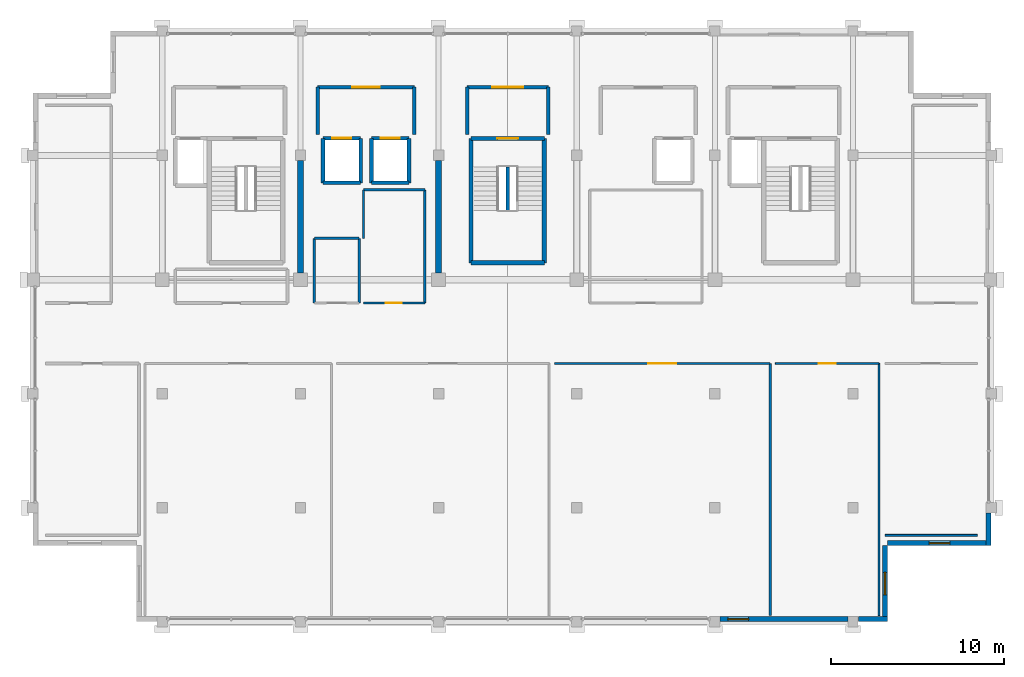
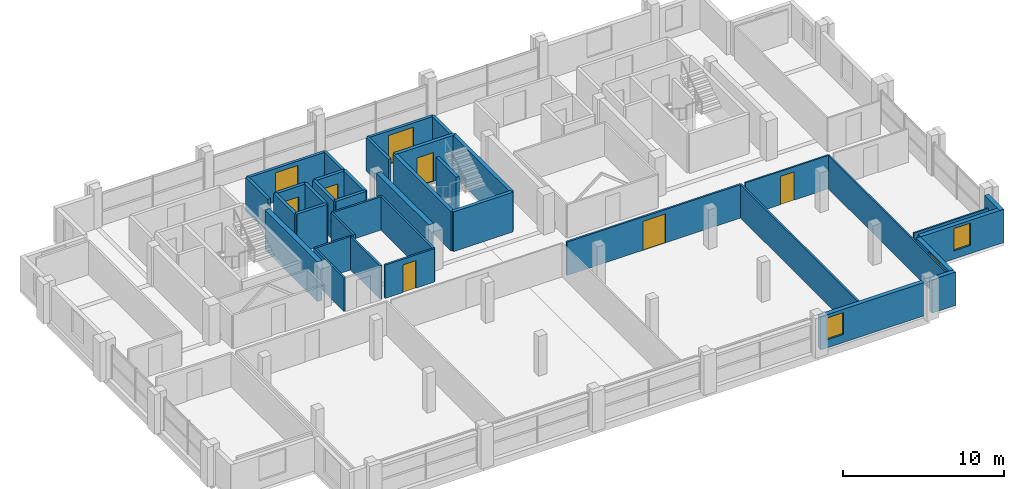
# One storey, part 21 of 24: 38 walls, 8 doors, 3 windows, 11 openings.
"""IFC4 building model written with IfcOpenShell, lengths in metres."""

from ifc_helpers import new_model, si_unit, direction, frame, frame_2d, origin, place, context, subcontext, project, spatial, rectangle, extrude, material, layer, layer_set, type_object, element, fill, save


model = new_model("IFC4")

# Units and contexts
model_context = context("Model", 3, precision=1e-05, world=origin(), true_north=direction((0.0, 1.0)))
body_context = subcontext(model_context, "Body", "Model", "MODEL_VIEW")
ifc_project = project(units=[si_unit("LENGTHUNIT", "METRE"), si_unit("AREAUNIT", "SQUARE_METRE"), si_unit("VOLUMEUNIT", "CUBIC_METRE"), si_unit("PLANEANGLEUNIT", "RADIAN"), si_unit("MASSUNIT", "GRAM", prefix="KILO")], contexts=[model_context])

# Site, building, storey
site_placement = place(None, origin())
site = spatial("IfcSite", under=ifc_project, at=site_placement, CompositionType="ELEMENT")
building_placement = place(site_placement, origin())
building = spatial("IfcBuilding", under=site, at=building_placement, Name="Akrevak Sports Hall", CompositionType="ELEMENT")
storey_placement = place(building_placement, frame((0.0, 0.0, 63.300048828125)))
storey = spatial("IfcBuildingStorey", under=building, at=storey_placement, Name="L16", CompositionType="ELEMENT", Elevation=63.300048828125)

# Wall, opening, window
ifc_material_1 = material(Name="Limestone Ashlar", Category="stone")
ifc_layer_1 = layer(ifc_material_1, 0.06005859375, Name="Limestone Ashlar")
ifc_material_2 = material(Name="Mineral Wool Thermal Insulation", Category="insulation")
ifc_layer_2 = layer(ifc_material_2, 0.090087890625, Name="Mineral Wool Thermal Insulation")
ifc_material_3 = material(Name="Concrete C40/50", Category="concrete")
ifc_layer_3 = layer(ifc_material_3, 0.14990234375, Name="Concrete C40/50")
ifc_layer_set_1 = layer_set([ifc_layer_1, ifc_layer_2, ifc_layer_3], Name="Limestone Ashlar / Mineral Wool Thermal Insulation / Concrete C40/50")
wall_type_1 = type_object("IfcWallType", Name="ARC-WL-EXT-300", PredefinedType="SOLIDWALL", material=ifc_layer_set_1)
wall_1_placement = place(storey_placement, frame((92.300048828125, 35.550048828125, 0.0), z_axis=(0.0, 0.0, 1.0), x_axis=(1.0, 0.0, 0.0)))
wall_1 = element("IfcWall", 1, at=wall_1_placement, inside=storey, type_object=wall_type_1, Name="Tower Stone Facade Wall L16-S06", PredefinedType="SOLIDWALL", context=body_context, shape_type="SweptSolid", body=[
    extrude(rectangle(XDim=7.39990234375, YDim=0.300048828125, at=frame_2d((3.699951171875, 0.0))), origin(), (0.0, 0.0, 1.0), 2.530029296875),
])
opening_1_placement = place(wall_1_placement, frame((0.449951171875, 0.0, 0.6201171875)))
opening_1 = element("IfcOpeningElement", 2, at=opening_1_placement, cuts=wall_1, Name="Opening WN-45", PredefinedType="OPENING", context=body_context, shape_type="SweptSolid", body=[
    extrude(rectangle(XDim=1.199951171875, YDim=1.64990234375, at=frame_2d((0.60009765625, 0.824951171875))), frame((0.0, 0.162109375, 0.0), z_axis=(0.0, -1.0, 0.0), x_axis=(1.0, 0.0, 0.0)), (0.0, 0.0, 1.0), 0.323974609375),
])
ifc_material_4 = material(Name="Thermally Broken Bronze Frame & Double Low-E Glass", Category="glass")
window_type_1 = type_object("IfcWindowType", Name="ARC-WIN-SZ-1200x1650", PartitioningType="SINGLE_PANEL", PredefinedType="WINDOW", material=ifc_material_4)
window_1_placement = place(opening_1_placement, origin())
window_1 = element("IfcWindow", 3, at=window_1_placement, inside=storey, type_object=window_type_1, Name="Tower Window L16-S06", OverallHeight=1.64990234375, OverallWidth=1.199951171875, PartitioningType="SINGLE_PANEL", PredefinedType="WINDOW", context=body_context, shape_type="SweptSolid", body=[
    extrude(rectangle(XDim=1.199951171875, YDim=1.64990234375, at=frame_2d((0.60009765625, 0.824951171875))), frame((0.0, 0.030029296875, 0.0), z_axis=(0.0, -1.0, 0.0), x_axis=(1.0, 0.0, 0.0)), (0.0, 0.0, 1.0), 0.06005859375),
])
fill(opening_1, window_1)

# Wall
wall_2_placement = place(storey_placement, frame((100.300048828125, 35.550048828125, 0.0), z_axis=(0.0, 0.0, 1.0), x_axis=(1.0, 0.0, 0.0)))
element("IfcWall", 4, at=wall_2_placement, inside=storey, type_object=wall_type_1, Name="Tower Stone Facade Wall L16-S07", PredefinedType="SOLIDWALL", context=body_context, shape_type="SweptSolid", body=[
    extrude(rectangle(XDim=1.699951171875, YDim=0.300048828125, at=frame_2d((0.85009765625, 0.0))), origin(), (0.0, 0.0, 1.0), 2.530029296875),
])

# Wall, opening, window
wall_3_placement = place(storey_placement, frame((101.85009765625, 35.39990234375, 0.0), z_axis=(0.0, 0.0, 1.0), x_axis=(0.0, 1.0, 0.0)))
wall_3 = element("IfcWall", 5, at=wall_3_placement, inside=storey, type_object=wall_type_1, Name="Tower Stone Facade Wall L16-E08", PredefinedType="SOLIDWALL", context=body_context, shape_type="SweptSolid", body=[
    extrude(rectangle(XDim=4.400146484375, YDim=0.300048828125, at=frame_2d((2.2001953125, 0.0))), origin(), (0.0, 0.0, 1.0), 2.530029296875),
])
opening_2_placement = place(wall_3_placement, frame((1.550048828125, 0.0, 0.6201171875)))
opening_2 = element("IfcOpeningElement", 6, at=opening_2_placement, cuts=wall_3, Name="Opening WN-12", PredefinedType="OPENING", context=body_context, shape_type="SweptSolid", body=[
    extrude(rectangle(XDim=1.300048828125, YDim=1.800048828125, at=frame_2d((0.64990234375, 0.89990234375))), frame((0.0, 0.162109375, 0.0), z_axis=(0.0, -1.0, 0.0), x_axis=(1.0, 0.0, 0.0)), (0.0, 0.0, 1.0), 0.323974609375),
])
window_type_2 = type_object("IfcWindowType", Name="ARC-WIN-TW-130x180", PartitioningType="SINGLE_PANEL", PredefinedType="WINDOW", material=ifc_material_4)
window_2_placement = place(opening_2_placement, origin())
window_2 = element("IfcWindow", 7, at=window_2_placement, inside=storey, type_object=window_type_2, Name="Tower Window L16-E08", OverallHeight=1.800048828125, OverallWidth=1.300048828125, PartitioningType="SINGLE_PANEL", PredefinedType="WINDOW", context=body_context, shape_type="SweptSolid", body=[
    extrude(rectangle(XDim=1.300048828125, YDim=1.800048828125, at=frame_2d((0.64990234375, 0.89990234375))), frame((0.0, 0.030029296875, 0.0), z_axis=(0.0, -1.0, 0.0), x_axis=(1.0, 0.0, 0.0)), (0.0, 0.0, 1.0), 0.06005859375),
])
fill(opening_2, window_2)

wall_4_placement = place(storey_placement, frame((102.0, 39.949951171875, 0.0), z_axis=(0.0, 0.0, 1.0), x_axis=(1.0, 0.0, 0.0)))
wall_4 = element("IfcWall", 8, at=wall_4_placement, inside=storey, type_object=wall_type_1, Name="Tower Stone Facade Wall L16-S09", PredefinedType="SOLIDWALL", context=body_context, shape_type="SweptSolid", body=[
    extrude(rectangle(XDim=6.0, YDim=0.300048828125, at=frame_2d((3.0, 0.0))), origin(), (0.0, 0.0, 1.0), 2.530029296875),
])
opening_3_placement = place(wall_4_placement, frame((2.39990234375, 0.0, 0.6201171875)))
opening_3 = element("IfcOpeningElement", 9, at=opening_3_placement, cuts=wall_4, Name="Opening WN-13", PredefinedType="OPENING", context=body_context, shape_type="SweptSolid", body=[
    extrude(rectangle(XDim=1.199951171875, YDim=1.699951171875, at=frame_2d((0.60009765625, 0.85009765625))), frame((0.0, 0.162109375, 0.0), z_axis=(0.0, -1.0, 0.0), x_axis=(1.0, 0.0, 0.0)), (0.0, 0.0, 1.0), 0.323974609375),
])
window_type_3 = type_object("IfcWindowType", Name="ARC-WIN-TW-120x170", PartitioningType="SINGLE_PANEL", PredefinedType="WINDOW", material=ifc_material_4)
window_3_placement = place(opening_3_placement, origin())
window_3 = element("IfcWindow", 10, at=window_3_placement, inside=storey, type_object=window_type_3, Name="Tower Window L16-S09", OverallHeight=1.699951171875, OverallWidth=1.199951171875, PartitioningType="SINGLE_PANEL", PredefinedType="WINDOW", context=body_context, shape_type="SweptSolid", body=[
    extrude(rectangle(XDim=1.199951171875, YDim=1.699951171875, at=frame_2d((0.60009765625, 0.85009765625))), frame((0.0, 0.030029296875, 0.0), z_axis=(0.0, -1.0, 0.0), x_axis=(1.0, 0.0, 0.0)), (0.0, 0.0, 1.0), 0.06005859375),
])
fill(opening_3, window_3)

# Wall
wall_5_placement = place(storey_placement, frame((107.85009765625, 39.800048828125, 0.0), z_axis=(0.0, 0.0, 1.0), x_axis=(0.0, 1.0, 0.0)))
element("IfcWall", 11, at=wall_5_placement, inside=storey, type_object=wall_type_1, Name="Tower Stone Facade Wall L16-E10", PredefinedType="SOLIDWALL", context=body_context, shape_type="SweptSolid", body=[
    extrude(rectangle(XDim=1.89990234375, YDim=0.300048828125, at=frame_2d((0.949951171875, 0.0))), origin(), (0.0, 0.0, 1.0), 2.530029296875),
])

# Wall, opening, door
ifc_material_5 = material(Name="Lightweight Office Partition", Category="gypsum")
ifc_layer_4 = layer(ifc_material_5, 0.110107421875, Name="Lightweight Office Partition")
ifc_layer_set_2 = layer_set([ifc_layer_4], Name="Lightweight Office Partition")
wall_type_2 = type_object("IfcWallType", Name="ARC-WL-PRT-110", PredefinedType="PARTITIONING", material=ifc_layer_set_2)
wall_6_placement = place(storey_placement, frame((95.5, 50.35009765625, 0.0), z_axis=(0.0, 0.0, 1.0), x_axis=(1.0, 0.0, 0.0)))
wall_6 = element("IfcWall", 12, at=wall_6_placement, inside=storey, type_object=wall_type_2, Name="Interior Partition International Relations Secretariat (L16) (N)", PredefinedType="PARTITIONING", context=body_context, shape_type="SweptSolid", body=[
    extrude(rectangle(XDim=6.0, YDim=0.110107421875, at=frame_2d((3.0, 0.0))), origin(), (0.0, 0.0, 1.0), 2.530029296875),
])
opening_4_placement = place(wall_6_placement, frame((2.5, 0.0, 0.0)))
opening_4 = element("IfcOpeningElement", 13, at=opening_4_placement, cuts=wall_6, Name="Opening ID-06", PredefinedType="OPENING", context=body_context, shape_type="SweptSolid", body=[
    extrude(rectangle(XDim=1.0, YDim=2.14990234375, at=frame_2d((0.5, 1.074951171875))), frame((0.0, 0.06689453125, 0.0), z_axis=(0.0, -1.0, 0.0), x_axis=(1.0, 0.0, 0.0)), (0.0, 0.0, 1.0), 0.134033203125),
])
ifc_material_6 = material(Name="Hardwood Oak Acoustic Leaf", Category="wood")
door_type_1 = type_object("IfcDoorType", Name="ARC-DR-OFF-100x215", OperationType="NOTDEFINED", PredefinedType="DOOR", material=ifc_material_6)
door_1_placement = place(opening_4_placement, origin())
door_1 = element("IfcDoor", 14, at=door_1_placement, inside=storey, type_object=door_type_1, Name="Door to International Relations Secretariat (L16)", OperationType="SINGLE_SWING_LEFT", OverallHeight=2.14990234375, OverallWidth=1.0, PredefinedType="DOOR", context=body_context, shape_type="SweptSolid", body=[
    extrude(rectangle(XDim=1.0, YDim=2.14990234375, at=frame_2d((0.5, 1.074951171875))), frame((0.0, 0.02490234375, 0.0), z_axis=(0.0, -1.0, 0.0), x_axis=(1.0, 0.0, 0.0)), (0.0, 0.0, 1.0), 0.050048828125),
])
fill(opening_4, door_1)

# Walls
wall_7_placement = place(storey_placement, frame((101.5, 35.75, 0.0), z_axis=(0.0, 0.0, 1.0), x_axis=(0.0, 1.0, 0.0)))
element("IfcWall", 15, at=wall_7_placement, inside=storey, type_object=wall_type_2, Name="Interior Partition International Relations Secretariat (L16) (E)", PredefinedType="PARTITIONING", context=body_context, shape_type="SweptSolid", body=[
    extrude(rectangle(XDim=14.60009765625, YDim=0.110107421875, at=frame_2d((7.300048828125, 0.0))), origin(), (0.0, 0.0, 1.0), 2.530029296875),
])
wall_8_placement = place(storey_placement, frame((101.85009765625, 40.39990234375, 0.0), z_axis=(0.0, 0.0, 1.0), x_axis=(1.0, 0.0, 0.0)))
element("IfcWall", 16, at=wall_8_placement, inside=storey, type_object=wall_type_2, Name="Interior Partition International Federation Office East (L16) (S)", PredefinedType="PARTITIONING", context=body_context, shape_type="SweptSolid", body=[
    extrude(rectangle(XDim=5.349853515625, YDim=0.110107421875, at=frame_2d((2.6748046875, 0.0))), origin(), (0.0, 0.0, 1.0), 2.530029296875),
])

# Wall, opening, door
ifc_material_7 = material(Name="Acoustic Metal Stud Partition", Category="gypsum")
ifc_layer_5 = layer(ifc_material_7, 0.1298828125, Name="Acoustic Metal Stud Partition")
ifc_layer_set_3 = layer_set([ifc_layer_5], Name="Acoustic Metal Stud Partition")
wall_type_3 = type_object("IfcWallType", Name="ARC-WL-PRT-130", PredefinedType="PARTITIONING", material=ifc_layer_set_3)
wall_9_placement = place(storey_placement, frame((82.699951171875, 50.35009765625, 0.0), z_axis=(0.0, 0.0, 1.0), x_axis=(1.0, 0.0, 0.0)))
wall_9 = element("IfcWall", 17, at=wall_9_placement, inside=storey, type_object=wall_type_3, Name="Interior Partition Presidential Reception Salon (L16) (N)", PredefinedType="PARTITIONING", context=body_context, shape_type="SweptSolid", body=[
    extrude(rectangle(XDim=12.5, YDim=0.1298828125, at=frame_2d((6.25, 0.0))), origin(), (0.0, 0.0, 1.0), 2.530029296875),
])
opening_5_placement = place(wall_9_placement, frame((5.449951171875, 0.0, 0.0)))
opening_5 = element("IfcOpeningElement", 18, at=opening_5_placement, cuts=wall_9, Name="Opening ID-03", PredefinedType="OPENING", context=body_context, shape_type="SweptSolid", body=[
    extrude(rectangle(XDim=1.60009765625, YDim=2.199951171875, at=frame_2d((0.800048828125, 1.10009765625))), frame((0.0, 0.076904296875, 0.0), z_axis=(0.0, -1.0, 0.0), x_axis=(1.0, 0.0, 0.0)), (0.0, 0.0, 1.0), 0.15380859375),
])
ifc_material_8 = material(Name="Hardwood Oak & Safety Glass", Category="wood")
door_type_2 = type_object("IfcDoorType", Name="ARC-DR-HALL-160x220", OperationType="DOUBLE_DOOR_SINGLE_SWING", PredefinedType="DOOR", material=ifc_material_8)
door_2_placement = place(opening_5_placement, origin())
door_2 = element("IfcDoor", 19, at=door_2_placement, inside=storey, type_object=door_type_2, Name="Door to Presidential Reception Salon (L16)", OperationType="DOUBLE_DOOR_SINGLE_SWING", OverallHeight=2.199951171875, OverallWidth=1.60009765625, PredefinedType="DOOR", context=body_context, shape_type="SweptSolid", body=[
    extrude(rectangle(XDim=1.60009765625, YDim=2.199951171875, at=frame_2d((0.800048828125, 1.10009765625))), frame((0.0, 0.02490234375, 0.0), z_axis=(0.0, -1.0, 0.0), x_axis=(1.0, 0.0, 0.0)), (0.0, 0.0, 1.0), 0.050048828125),
])
fill(opening_5, door_2)

# Walls
wall_10_placement = place(storey_placement, frame((95.199951171875, 35.75, 0.0), z_axis=(0.0, 0.0, 1.0), x_axis=(0.0, 1.0, 0.0)))
element("IfcWall", 20, at=wall_10_placement, inside=storey, type_object=wall_type_3, Name="Interior Partition Presidential Reception Salon (L16) (E)", PredefinedType="PARTITIONING", context=body_context, shape_type="SweptSolid", body=[
    extrude(rectangle(XDim=14.60009765625, YDim=0.1298828125, at=frame_2d((7.300048828125, 0.0))), origin(), (0.0, 0.0, 1.0), 2.530029296875),
])
ifc_material_9 = material(Name="Moisture-Resistant Wet-Area Partition", Category="gypsum")
ifc_layer_6 = layer(ifc_material_9, 0.139892578125, Name="Moisture-Resistant Wet-Area Partition")
ifc_layer_set_4 = layer_set([ifc_layer_6], Name="Moisture-Resistant Wet-Area Partition")
wall_type_4 = type_object("IfcWallType", Name="ARC-WL-PRT-140", PredefinedType="PARTITIONING", material=ifc_layer_set_4)
wall_11_placement = place(storey_placement, frame((68.800048828125, 57.60009765625, 0.0), z_axis=(0.0, 0.0, 1.0), x_axis=(1.0, 0.0, 0.0)))
element("IfcWall", 21, at=wall_11_placement, inside=storey, type_object=wall_type_4, Name="Interior Partition Accessible WC L16 (N)", PredefinedType="PARTITIONING", context=body_context, shape_type="SweptSolid", body=[
    extrude(rectangle(XDim=2.599853515625, YDim=0.139892578125, at=frame_2d((1.2998046875, 0.0))), origin(), (0.0, 0.0, 1.0), 2.530029296875),
])
for number, where, z_axis, x_axis, name in (
    (22, (68.800048828125, 53.85009765625, 0.0), (0.0, 0.0, 1.0), (0.0, 1.0, 0.0), "Interior Partition Accessible WC L16 (W)"),
    (23, (71.39990234375, 53.85009765625, 0.0), (0.0, 0.0, 1.0), (0.0, 1.0, 0.0), "Interior Partition Accessible WC L16 (E)"),
):
    element("IfcWall", number, at=place(storey_placement, frame(where, z_axis=z_axis, x_axis=x_axis)), inside=storey, type_object=wall_type_4, Name=name, PredefinedType="PARTITIONING", context=body_context, shape_type="SweptSolid", body=[
        extrude(rectangle(XDim=3.75, YDim=0.139892578125, at=frame_2d((1.875, 0.0))), origin(), (0.0, 0.0, 1.0), 2.530029296875),
    ])

# Wall, opening, door
wall_12_placement = place(storey_placement, frame((71.64990234375, 53.85009765625, 0.0), z_axis=(0.0, 0.0, 1.0), x_axis=(1.0, 0.0, 0.0)))
wall_12 = element("IfcWall", 24, at=wall_12_placement, inside=storey, type_object=wall_type_4, Name="Interior Partition Athletic Recovery Shower & WC L16 (S)", PredefinedType="PARTITIONING", context=body_context, shape_type="SweptSolid", body=[
    extrude(rectangle(XDim=3.550048828125, YDim=0.139892578125, at=frame_2d((1.77490234375, 0.0))), origin(), (0.0, 0.0, 1.0), 2.530029296875),
])
opening_6_placement = place(wall_12_placement, frame((1.27490234375, 0.0, 0.0)))
opening_6 = element("IfcOpeningElement", 25, at=opening_6_placement, cuts=wall_12, Name="Opening ID-08", PredefinedType="OPENING", context=body_context, shape_type="SweptSolid", body=[
    extrude(rectangle(XDim=0.949951171875, YDim=2.10009765625, at=frame_2d((0.47509765625, 1.050048828125))), frame((0.0, 0.08203125, 0.0), z_axis=(0.0, -1.0, 0.0), x_axis=(1.0, 0.0, 0.0)), (0.0, 0.0, 1.0), 0.163818359375),
])
ifc_material_10 = material(Name="High-Pressure Laminate & Aluminium", Category="aluminium")
door_type_3 = type_object("IfcDoorType", Name="ARC-DR-WC-095x210", OperationType="NOTDEFINED", PredefinedType="DOOR", material=ifc_material_10)
door_3_placement = place(opening_6_placement, origin())
door_3 = element("IfcDoor", 26, at=door_3_placement, inside=storey, type_object=door_type_3, Name="Door to Athletic Recovery Shower & WC L16", OperationType="SINGLE_SWING_LEFT", OverallHeight=2.10009765625, OverallWidth=0.949951171875, PredefinedType="DOOR", context=body_context, shape_type="SweptSolid", body=[
    extrude(rectangle(XDim=0.949951171875, YDim=2.10009765625, at=frame_2d((0.47509765625, 1.050048828125))), frame((0.0, 0.02490234375, 0.0), z_axis=(0.0, -1.0, 0.0), x_axis=(1.0, 0.0, 0.0)), (0.0, 0.0, 1.0), 0.050048828125),
])
fill(opening_6, door_3)

# Walls
wall_13_placement = place(storey_placement, frame((71.64990234375, 60.39990234375, 0.0), z_axis=(0.0, 0.0, 1.0), x_axis=(1.0, 0.0, 0.0)))
element("IfcWall", 27, at=wall_13_placement, inside=storey, type_object=wall_type_4, Name="Interior Partition Athletic Recovery Shower & WC L16 (N)", PredefinedType="PARTITIONING", context=body_context, shape_type="SweptSolid", body=[
    extrude(rectangle(XDim=3.550048828125, YDim=0.139892578125, at=frame_2d((1.77490234375, 0.0))), origin(), (0.0, 0.0, 1.0), 2.530029296875),
])
wall_14_placement = place(storey_placement, frame((71.64990234375, 57.60009765625, 0.0), z_axis=(0.0, 0.0, 1.0), x_axis=(0.0, 1.0, 0.0)))
element("IfcWall", 28, at=wall_14_placement, inside=storey, type_object=wall_type_4, Name="Interior Partition Athletic Recovery Shower & WC L16 (W)", PredefinedType="PARTITIONING", context=body_context, shape_type="SweptSolid", body=[
    extrude(rectangle(XDim=2.7998046875, YDim=0.139892578125, at=frame_2d((1.39990234375, 0.0))), origin(), (0.0, 0.0, 1.0), 2.530029296875),
])
wall_15_placement = place(storey_placement, frame((75.199951171875, 53.85009765625, 0.0), z_axis=(0.0, 0.0, 1.0), x_axis=(0.0, 1.0, 0.0)))
element("IfcWall", 29, at=wall_15_placement, inside=storey, type_object=wall_type_4, Name="Interior Partition Athletic Recovery Shower & WC L16 (E)", PredefinedType="PARTITIONING", context=body_context, shape_type="SweptSolid", body=[
    extrude(rectangle(XDim=6.5498046875, YDim=0.139892578125, at=frame_2d((3.27490234375, 0.0))), origin(), (0.0, 0.0, 1.0), 2.530029296875),
])

# Wall, opening, door
ifc_material_11 = material(Name="Autoclaved Aerated Masonry Block", Category="masonry")
ifc_layer_7 = layer(ifc_material_11, 0.199951171875, Name="Autoclaved Aerated Masonry Block")
ifc_layer_set_5 = layer_set([ifc_layer_7], Name="Autoclaved Aerated Masonry Block")
wall_type_5 = type_object("IfcWallType", Name="ARC-WL-PRT-200", PredefinedType="PARTITIONING", material=ifc_layer_set_5)
wall_16_placement = place(storey_placement, frame((69.0, 66.35009765625, 0.0), z_axis=(0.0, 0.0, 1.0), x_axis=(1.0, 0.0, 0.0)))
wall_16 = element("IfcWall", 30, at=wall_16_placement, inside=storey, type_object=wall_type_5, Name="Interior Partition West Passenger Lift Lobby L16 (N)", PredefinedType="PARTITIONING", context=body_context, shape_type="SweptSolid", body=[
    extrude(rectangle(XDim=5.60009765625, YDim=0.199951171875, at=frame_2d((2.800048828125, 0.0))), origin(), (0.0, 0.0, 1.0), 2.530029296875),
])
opening_7_placement = place(wall_16_placement, frame((2.0, 0.0, 0.0)))
opening_7 = element("IfcOpeningElement", 31, at=opening_7_placement, cuts=wall_16, Name="Opening ID-03", PredefinedType="OPENING", context=body_context, shape_type="SweptSolid", body=[
    extrude(rectangle(XDim=1.60009765625, YDim=2.199951171875, at=frame_2d((0.800048828125, 1.10009765625))), frame((0.0, 0.11181640625, 0.0), z_axis=(0.0, -1.0, 0.0), x_axis=(1.0, 0.0, 0.0)), (0.0, 0.0, 1.0), 0.223876953125),
])
door_4_placement = place(opening_7_placement, origin())
door_4 = element("IfcDoor", 32, at=door_4_placement, inside=storey, type_object=door_type_2, Name="Door to West Passenger Lift Lobby L16", OperationType="DOUBLE_DOOR_SINGLE_SWING", OverallHeight=2.199951171875, OverallWidth=1.60009765625, PredefinedType="DOOR", context=body_context, shape_type="SweptSolid", body=[
    extrude(rectangle(XDim=1.60009765625, YDim=2.199951171875, at=frame_2d((0.800048828125, 1.10009765625))), frame((0.0, 0.02490234375, 0.0), z_axis=(0.0, -1.0, 0.0), x_axis=(1.0, 0.0, 0.0)), (0.0, 0.0, 1.0), 0.050048828125),
])
fill(opening_7, door_4)

# Walls
for number, where, z_axis, x_axis, name in (
    (33, (69.0, 63.60009765625, 0.0), (0.0, 0.0, 1.0), (0.0, 1.0, 0.0), "Interior Partition West Passenger Lift Lobby L16 (W)"),
    (34, (74.60009765625, 63.60009765625, 0.0), (0.0, 0.0, 1.0), (0.0, 1.0, 0.0), "Interior Partition West Passenger Lift Lobby L16 (E)"),
):
    element("IfcWall", number, at=place(storey_placement, frame(where, z_axis=z_axis, x_axis=x_axis)), inside=storey, type_object=wall_type_5, Name=name, PredefinedType="PARTITIONING", context=body_context, shape_type="SweptSolid", body=[
        extrude(rectangle(XDim=2.75, YDim=0.199951171875, at=frame_2d((1.375, 0.0))), origin(), (0.0, 0.0, 1.0), 2.530029296875),
    ])

# Wall, opening, door
wall_17_placement = place(storey_placement, frame((77.64990234375, 66.35009765625, 0.0), z_axis=(0.0, 0.0, 1.0), x_axis=(1.0, 0.0, 0.0)))
wall_17 = element("IfcWall", 35, at=wall_17_placement, inside=storey, type_object=wall_type_5, Name="Interior Partition Central Stair ST3 Vestibule L16 (N)", PredefinedType="PARTITIONING", context=body_context, shape_type="SweptSolid", body=[
    extrude(rectangle(XDim=4.7001953125, YDim=0.199951171875, at=frame_2d((2.35009765625, 0.0))), origin(), (0.0, 0.0, 1.0), 2.530029296875),
])
opening_8_placement = place(wall_17_placement, frame((1.449951171875, 0.0, 0.0)))
opening_8 = element("IfcOpeningElement", 36, at=opening_8_placement, cuts=wall_17, Name="Opening FD-02", PredefinedType="OPENING", context=body_context, shape_type="SweptSolid", body=[
    extrude(rectangle(XDim=1.800048828125, YDim=2.199951171875, at=frame_2d((0.89990234375, 1.10009765625))), frame((0.0, 0.11181640625, 0.0), z_axis=(0.0, -1.0, 0.0), x_axis=(1.0, 0.0, 0.0)), (0.0, 0.0, 1.0), 0.223876953125),
])
ifc_material_12 = material(Name="Fire-Rated Galvanized Door Steel", Category="steel")
door_type_4 = type_object("IfcDoorType", Name="ARC-DR-FIRE-180x220", OperationType="DOUBLE_DOOR_SINGLE_SWING", PredefinedType="DOOR", material=ifc_material_12)
door_5_placement = place(opening_8_placement, frame((1.800048828125, 0.0, 0.0), z_axis=(0.0, 0.0, 1.0), x_axis=(-1.0, 0.0, 0.0)))
door_5 = element("IfcDoor", 37, at=door_5_placement, inside=storey, type_object=door_type_4, Name="Door to Central Stair ST3 Vestibule L16", OperationType="DOUBLE_DOOR_SINGLE_SWING", OverallHeight=2.199951171875, OverallWidth=1.800048828125, PredefinedType="DOOR", context=body_context, shape_type="SweptSolid", body=[
    extrude(rectangle(XDim=1.800048828125, YDim=2.199951171875, at=frame_2d((0.89990234375, 1.10009765625))), frame((0.0, 0.02490234375, 0.0), z_axis=(0.0, -1.0, 0.0), x_axis=(1.0, 0.0, 0.0)), (0.0, 0.0, 1.0), 0.050048828125),
])
fill(opening_8, door_5)

# Walls
for number, where, z_axis, x_axis, name in (
    (38, (77.64990234375, 63.60009765625, 0.0), (0.0, 0.0, 1.0), (0.0, 1.0, 0.0), "Interior Partition Central Stair ST3 Vestibule L16 (W)"),
    (39, (82.35009765625, 63.60009765625, 0.0), (0.0, 0.0, 1.0), (0.0, 1.0, 0.0), "Interior Partition Central Stair ST3 Vestibule L16 (E)"),
):
    element("IfcWall", number, at=place(storey_placement, frame(where, z_axis=z_axis, x_axis=x_axis)), inside=storey, type_object=wall_type_5, Name=name, PredefinedType="PARTITIONING", context=body_context, shape_type="SweptSolid", body=[
        extrude(rectangle(XDim=2.75, YDim=0.199951171875, at=frame_2d((1.375, 0.0))), origin(), (0.0, 0.0, 1.0), 2.530029296875),
    ])
ifc_layer_8 = layer(ifc_material_3, 0.219970703125, Name="Concrete C40/50")
ifc_layer_set_6 = layer_set([ifc_layer_8], Name="Concrete C40/50")
wall_type_6 = type_object("IfcWallType", Name="ARC-WL-PRT-220", PredefinedType="PARTITIONING", material=ifc_layer_set_6)
wall_18_placement = place(storey_placement, frame((80.0, 59.215087890625, 0.0), z_axis=(0.0, 0.0, 1.0), x_axis=(0.0, 1.0, 0.0)))
element("IfcWall", 40, at=wall_18_placement, inside=storey, type_object=wall_type_6, Name="Stair ST3 Central Spine Wall (L16)", PredefinedType="PARTITIONING", context=body_context, shape_type="SweptSolid", body=[
    extrude(rectangle(XDim=2.52001953125, YDim=0.219970703125, at=frame_2d((1.260009765625, 0.0))), origin(), (0.0, 0.0, 1.0), 3.010009765625),
])
ifc_material_13 = material(Name="Concrete C50/60", Category="concrete")
ifc_layer_9 = layer(ifc_material_13, 0.219970703125, Name="Concrete C50/60")
ifc_layer_set_7 = layer_set([ifc_layer_9], Name="Concrete C50/60")
wall_type_7 = type_object("IfcWallType", Name="ARC-WL-SHAFT-220", PredefinedType="SHEAR", material=ifc_layer_set_7)
wall_19_placement = place(storey_placement, frame((69.31005859375, 60.81005859375, 0.0), z_axis=(0.0, 0.0, 1.0), x_axis=(1.0, 0.0, 0.0)))
element("IfcWall", 41, at=wall_19_placement, inside=storey, type_object=wall_type_7, Name="Lift Shaft LF-P1 Wall S (L16)", PredefinedType="SHEAR", context=body_context, shape_type="SweptSolid", body=[
    extrude(rectangle(XDim=2.179931640625, YDim=0.219970703125, at=frame_2d((1.08984375, 0.0))), origin(), (0.0, 0.0, 1.0), 3.010009765625),
])

# Wall, opening, door
wall_20_placement = place(storey_placement, frame((71.489990234375, 63.389892578125, 0.0), z_axis=(0.0, 0.0, 1.0), x_axis=(-1.0, 0.0, 0.0)))
wall_20 = element("IfcWall", 42, at=wall_20_placement, inside=storey, type_object=wall_type_7, Name="Lift Shaft LF-P1 Wall N (L16)", PredefinedType="SHEAR", context=body_context, shape_type="SweptSolid", body=[
    extrude(rectangle(XDim=2.179931640625, YDim=0.219970703125, at=frame_2d((1.08984375, 0.0))), origin(), (0.0, 0.0, 1.0), 3.010009765625),
])
opening_9_placement = place(wall_20_placement, frame((0.5400390625, 0.0, 0.0)))
opening_9 = element("IfcOpeningElement", 43, at=opening_9_placement, cuts=wall_20, Name="Opening LD-01", PredefinedType="OPENING", context=body_context, shape_type="SweptSolid", body=[
    extrude(rectangle(XDim=1.10009765625, YDim=2.199951171875, at=frame_2d((0.550048828125, 1.10009765625))), frame((0.0, 0.1220703125, 0.0), z_axis=(0.0, -1.0, 0.0), x_axis=(1.0, 0.0, 0.0)), (0.0, 0.0, 1.0), 0.243896484375),
])
ifc_material_14 = material(Name="Brushed Stainless Steel 304", Category="steel")
door_type_5 = type_object("IfcDoorType", Name="ARC-DR-LD-110x220", OperationType="SLIDING_TO_LEFT", PredefinedType="DOOR", material=ifc_material_14)
door_6_placement = place(opening_9_placement, origin())
door_6 = element("IfcDoor", 44, at=door_6_placement, inside=storey, type_object=door_type_5, Name="Lift LF-P1 Sliding Landing Door (L16)", OperationType="SLIDING_TO_LEFT", OverallHeight=2.199951171875, OverallWidth=1.10009765625, PredefinedType="DOOR", context=body_context, shape_type="SweptSolid", body=[
    extrude(rectangle(XDim=1.10009765625, YDim=2.199951171875, at=frame_2d((0.550048828125, 1.10009765625))), frame((0.0, 0.02490234375, 0.0), z_axis=(0.0, -1.0, 0.0), x_axis=(1.0, 0.0, 0.0)), (0.0, 0.0, 1.0), 0.050048828125),
])
fill(opening_9, door_6)

# Walls
for number, where, z_axis, x_axis, name in (
    (45, (69.31005859375, 63.389892578125, 0.0), (0.0, 0.0, 1.0), (0.0, -1.0, 0.0), "Lift Shaft LF-P1 Wall W (L16)"),
    (46, (71.489990234375, 60.81005859375, 0.0), (0.0, 0.0, 1.0), (0.0, 1.0, 0.0), "Lift Shaft LF-P1 Wall E (L16)"),
):
    element("IfcWall", number, at=place(storey_placement, frame(where, z_axis=z_axis, x_axis=x_axis)), inside=storey, type_object=wall_type_7, Name=name, PredefinedType="SHEAR", context=body_context, shape_type="SweptSolid", body=[
        extrude(rectangle(XDim=2.579833984375, YDim=0.219970703125, at=frame_2d((1.2900390625, 0.0))), origin(), (0.0, 0.0, 1.0), 3.010009765625),
    ])
wall_21_placement = place(storey_placement, frame((72.110107421875, 60.81005859375, 0.0), z_axis=(0.0, 0.0, 1.0), x_axis=(1.0, 0.0, 0.0)))
element("IfcWall", 47, at=wall_21_placement, inside=storey, type_object=wall_type_7, Name="Lift Shaft LF-P2 Wall S (L16)", PredefinedType="SHEAR", context=body_context, shape_type="SweptSolid", body=[
    extrude(rectangle(XDim=2.179931640625, YDim=0.219970703125, at=frame_2d((1.08984375, 0.0))), origin(), (0.0, 0.0, 1.0), 3.010009765625),
])

# Wall, opening, door
wall_22_placement = place(storey_placement, frame((74.2900390625, 63.389892578125, 0.0), z_axis=(0.0, 0.0, 1.0), x_axis=(-1.0, 0.0, 0.0)))
wall_22 = element("IfcWall", 48, at=wall_22_placement, inside=storey, type_object=wall_type_7, Name="Lift Shaft LF-P2 Wall N (L16)", PredefinedType="SHEAR", context=body_context, shape_type="SweptSolid", body=[
    extrude(rectangle(XDim=2.179931640625, YDim=0.219970703125, at=frame_2d((1.08984375, 0.0))), origin(), (0.0, 0.0, 1.0), 3.010009765625),
])
opening_10_placement = place(wall_22_placement, frame((0.5400390625, 0.0, 0.0)))
opening_10 = element("IfcOpeningElement", 49, at=opening_10_placement, cuts=wall_22, Name="Opening LD-01", PredefinedType="OPENING", context=body_context, shape_type="SweptSolid", body=[
    extrude(rectangle(XDim=1.10009765625, YDim=2.199951171875, at=frame_2d((0.550048828125, 1.10009765625))), frame((0.0, 0.1220703125, 0.0), z_axis=(0.0, -1.0, 0.0), x_axis=(1.0, 0.0, 0.0)), (0.0, 0.0, 1.0), 0.243896484375),
])
door_7_placement = place(opening_10_placement, origin())
door_7 = element("IfcDoor", 50, at=door_7_placement, inside=storey, type_object=door_type_5, Name="Lift LF-P2 Sliding Landing Door (L16)", OperationType="SLIDING_TO_LEFT", OverallHeight=2.199951171875, OverallWidth=1.10009765625, PredefinedType="DOOR", context=body_context, shape_type="SweptSolid", body=[
    extrude(rectangle(XDim=1.10009765625, YDim=2.199951171875, at=frame_2d((0.550048828125, 1.10009765625))), frame((0.0, 0.02490234375, 0.0), z_axis=(0.0, -1.0, 0.0), x_axis=(1.0, 0.0, 0.0)), (0.0, 0.0, 1.0), 0.050048828125),
])
fill(opening_10, door_7)

# Walls
for number, where, z_axis, x_axis, name in (
    (51, (72.110107421875, 63.389892578125, 0.0), (0.0, 0.0, 1.0), (0.0, -1.0, 0.0), "Lift Shaft LF-P2 Wall W (L16)"),
    (52, (74.2900390625, 60.81005859375, 0.0), (0.0, 0.0, 1.0), (0.0, 1.0, 0.0), "Lift Shaft LF-P2 Wall E (L16)"),
):
    element("IfcWall", number, at=place(storey_placement, frame(where, z_axis=z_axis, x_axis=x_axis)), inside=storey, type_object=wall_type_7, Name=name, PredefinedType="SHEAR", context=body_context, shape_type="SweptSolid", body=[
        extrude(rectangle(XDim=2.579833984375, YDim=0.219970703125, at=frame_2d((1.2900390625, 0.0))), origin(), (0.0, 0.0, 1.0), 3.010009765625),
    ])
ifc_layer_10 = layer(ifc_material_13, 0.35009765625, Name="Concrete C50/60")
ifc_layer_set_8 = layer_set([ifc_layer_10], Name="Concrete C50/60")
wall_type_8 = type_object("IfcWallType", Name="STR-WL-CORE-350", PredefinedType="SHEAR", material=ifc_layer_set_8)
for number, where, z_axis, x_axis, name in (
    (53, (68.0, 55.60009765625, 0.0), (0.0, 0.0, 1.0), (0.0, 1.0, 0.0), "Reinforced Concrete Shear Wall SW-C1 (L16)"),
    (54, (76.0, 55.60009765625, 0.0), (0.0, 0.0, 1.0), (0.0, 1.0, 0.0), "Reinforced Concrete Shear Wall SW-W1 (L16)"),
):
    element("IfcWall", number, at=place(storey_placement, frame(where, z_axis=z_axis, x_axis=x_axis)), inside=storey, type_object=wall_type_8, Name=name, PredefinedType="SHEAR", context=body_context, shape_type="SweptSolid", body=[
        extrude(rectangle(XDim=6.5, YDim=0.35009765625, at=frame_2d((3.25, 0.0))), origin(), (0.0, 0.0, 1.0), 3.010009765625),
    ])
ifc_layer_11 = layer(ifc_material_13, 0.25, Name="Concrete C50/60")
ifc_layer_set_9 = layer_set([ifc_layer_11], Name="Concrete C50/60")
wall_type_9 = type_object("IfcWallType", Name="STR-WL-STAIR-250", PredefinedType="SHEAR", material=ifc_layer_set_9)
wall_23_placement = place(storey_placement, frame((77.875, 56.175048828125, 0.0), z_axis=(0.0, 0.0, 1.0), x_axis=(1.0, 0.0, 0.0)))
element("IfcWall", 55, at=wall_23_placement, inside=storey, type_object=wall_type_9, Name="Stair Core ST3 Shear Wall S (L16)", PredefinedType="SHEAR", context=body_context, shape_type="SweptSolid", body=[
    extrude(rectangle(XDim=4.25, YDim=0.25, at=frame_2d((2.125, 0.0))), origin(), (0.0, 0.0, 1.0), 3.010009765625),
])

# Wall, opening, door
wall_24_placement = place(storey_placement, frame((82.125, 63.375, 0.0), z_axis=(0.0, 0.0, 1.0), x_axis=(-1.0, 0.0, 0.0)))
wall_24 = element("IfcWall", 56, at=wall_24_placement, inside=storey, type_object=wall_type_9, Name="Stair Core ST3 Shear Wall N (L16)", PredefinedType="SHEAR", context=body_context, shape_type="SweptSolid", body=[
    extrude(rectangle(XDim=4.25, YDim=0.25, at=frame_2d((2.125, 0.0))), origin(), (0.0, 0.0, 1.0), 3.010009765625),
])
opening_11_placement = place(wall_24_placement, frame((1.52490234375, 0.0, 0.0)))
opening_11 = element("IfcOpeningElement", 57, at=opening_11_placement, cuts=wall_24, Name="Opening SD-02", PredefinedType="OPENING", context=body_context, shape_type="SweptSolid", body=[
    extrude(rectangle(XDim=1.199951171875, YDim=2.199951171875, at=frame_2d((0.60009765625, 1.10009765625))), frame((0.0, 0.136962890625, 0.0), z_axis=(0.0, -1.0, 0.0), x_axis=(1.0, 0.0, 0.0)), (0.0, 0.0, 1.0), 0.27392578125),
])
door_type_6 = type_object("IfcDoorType", Name="ARC-DR-STAIR-120x220", OperationType="NOTDEFINED", PredefinedType="DOOR", material=ifc_material_12)
door_8_placement = place(opening_11_placement, origin())
door_8 = element("IfcDoor", 58, at=door_8_placement, inside=storey, type_object=door_type_6, Name="Exit Stair ST3 Door (L16)", OperationType="SINGLE_SWING_RIGHT", OverallHeight=2.199951171875, OverallWidth=1.199951171875, PredefinedType="DOOR", context=body_context, shape_type="SweptSolid", body=[
    extrude(rectangle(XDim=1.199951171875, YDim=2.199951171875, at=frame_2d((0.60009765625, 1.10009765625))), frame((0.0, 0.02490234375, 0.0), z_axis=(0.0, -1.0, 0.0), x_axis=(1.0, 0.0, 0.0)), (0.0, 0.0, 1.0), 0.050048828125),
])
fill(opening_11, door_8)

# Walls
for number, where, z_axis, x_axis, name in (
    (59, (77.875, 63.375, 0.0), (0.0, 0.0, 1.0), (0.0, -1.0, 0.0), "Stair Core ST3 Shear Wall W (L16)"),
    (60, (82.125, 56.175048828125, 0.0), (0.0, 0.0, 1.0), (0.0, 1.0, 0.0), "Stair Core ST3 Shear Wall E (L16)"),
):
    element("IfcWall", number, at=place(storey_placement, frame(where, z_axis=z_axis, x_axis=x_axis)), inside=storey, type_object=wall_type_9, Name=name, PredefinedType="SHEAR", context=body_context, shape_type="SweptSolid", body=[
        extrude(rectangle(XDim=7.199951171875, YDim=0.25, at=frame_2d((3.60009765625, 0.0))), origin(), (0.0, 0.0, 1.0), 3.010009765625),
    ])

save(model, "model.ifc")
